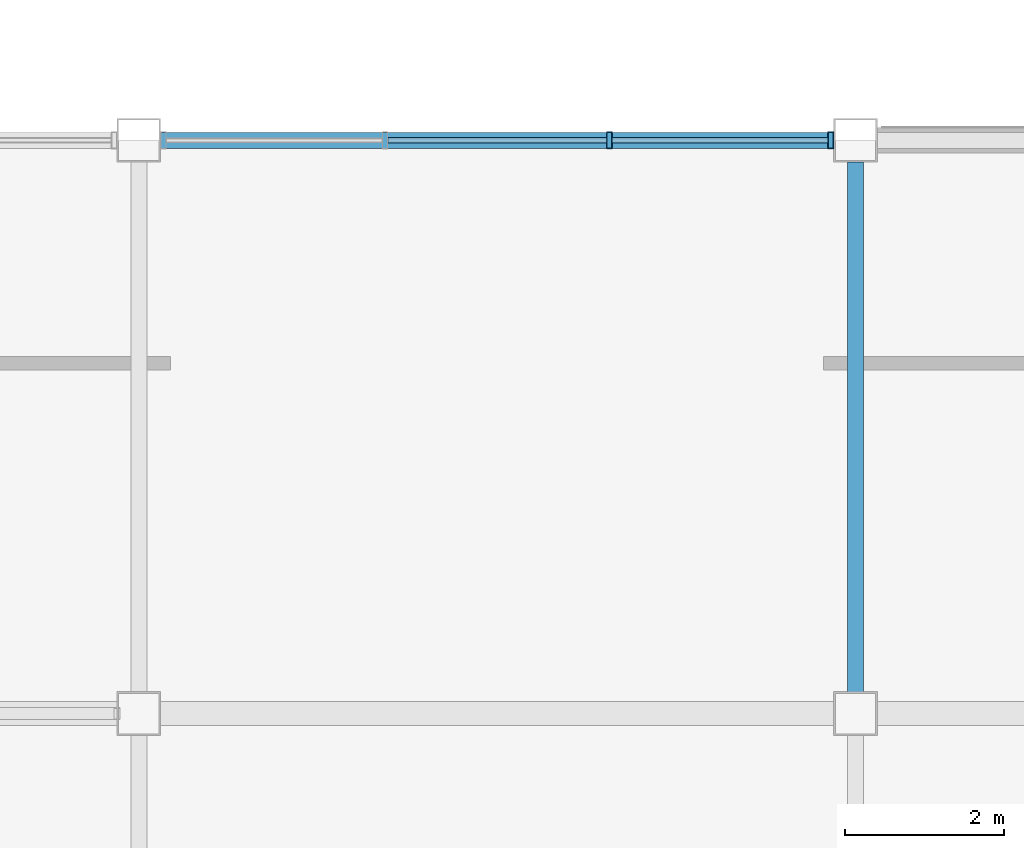
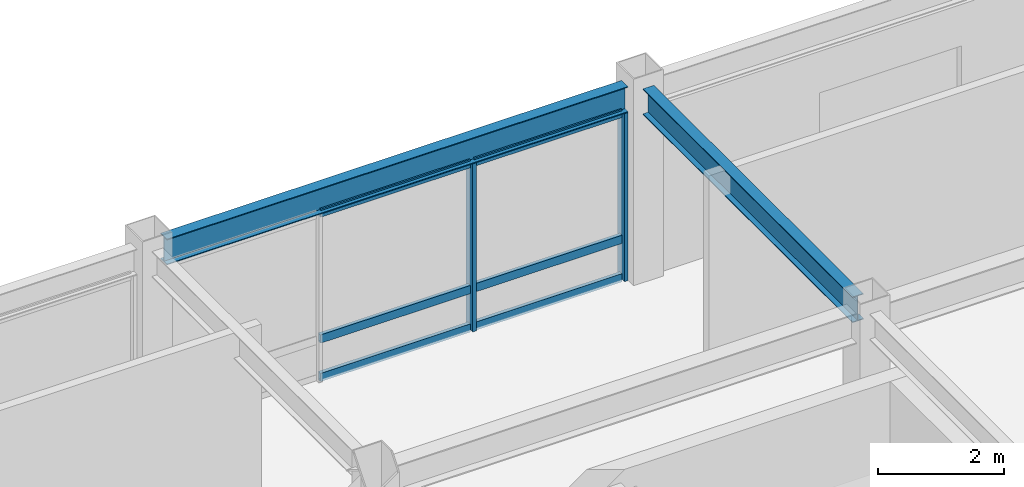
# One storey, part 42 of 122: 8 members, 2 beams, 1 element without a shape of its own.
"""IFC4 building model written with IfcOpenShell, lengths in metres."""

from ifc_helpers import new_model, si_unit, direction, frame, origin, origin_2d, place, context, subcontext, project, spatial, hollow_rectangle, i_section, extrude, material, material_profile, profile_set, type_object, element, aggregate, save


model = new_model("IFC4")

# Units and contexts
model_context = context("Model", 3, precision=1e-05, world=origin(), true_north=direction((0.0, 1.0)))
body_context = subcontext(model_context, "Body", "Model", "MODEL_VIEW")
ifc_project = project(units=[si_unit("LENGTHUNIT", "METRE"), si_unit("AREAUNIT", "SQUARE_METRE"), si_unit("VOLUMEUNIT", "CUBIC_METRE"), si_unit("PLANEANGLEUNIT", "RADIAN"), si_unit("MASSUNIT", "GRAM", prefix="KILO")], contexts=[model_context])

# Site, building, storey
site_placement = place(None, origin())
site = spatial("IfcSite", under=ifc_project, at=site_placement, CompositionType="ELEMENT")
building_placement = place(site_placement, origin())
building = spatial("IfcBuilding", under=site, at=building_placement, Name="Kazanami Central Library", CompositionType="ELEMENT")
storey_placement = place(building_placement, frame((0.0, 0.0, 4.800048828125)))
storey = spatial("IfcBuildingStorey", under=building, at=storey_placement, Name="L02", CompositionType="ELEMENT", Elevation=4.800048828125)

# Beams
ifc_material_1 = material(Name="Steel SN490B (325 MPa)", Category="steel")
ifc_material_profile_1 = material_profile(ifc_material_1, i_section(OverallWidth=0.199951171875, OverallDepth=0.5, WebThickness=0.010009765625, FlangeThickness=0.01611328125, at=origin_2d()), Name="H-500x200x10x16")
ifc_profile_set_1 = profile_set([ifc_material_profile_1], Name="Steel SN490B (325 MPa)")
beam_type_1 = type_object("IfcBeamType", Name="BM-G-Y2", PredefinedType="BEAM", material=ifc_profile_set_1)
beam_1_placement = place(storey_placement, frame((81.0, 29.072998046875, 3.5048828125), z_axis=(0.0, 1.0, 0.0), x_axis=(-1.0, 0.0, 0.0)))
element("IfcBeam", 1, at=beam_1_placement, inside=storey, type_object=beam_type_1, Name="Girder G-Y2 L02 10/E-F", PredefinedType="BEAM", context=body_context, shape_type="SweptSolid", body=[
    extrude(i_section(OverallWidth=0.199951171875, OverallDepth=0.5, WebThickness=0.010009765625, FlangeThickness=0.01611328125, at=origin_2d()), origin(), (0.0, 0.0, 1.0), 6.654052734375),
])
ifc_material_profile_2 = material_profile(ifc_material_1, i_section(OverallWidth=0.199951171875, OverallDepth=0.5, WebThickness=0.010009765625, FlangeThickness=0.01611328125, at=origin_2d()), Name="H-500x200x10x16")
ifc_profile_set_2 = profile_set([ifc_material_profile_2], Name="Steel SN490B (325 MPa)")
beam_type_2 = type_object("IfcBeamType", Name="BM-SP-1", PredefinedType="SPANDREL", material=ifc_profile_set_2)
beam_2_placement = place(storey_placement, frame((72.27294921875, 36.0, 3.5048828125), z_axis=(1.0, 0.0, 0.0), x_axis=(0.0, 1.0, 0.0)))
element("IfcBeam", 2, at=beam_2_placement, inside=storey, type_object=beam_type_2, Name="Girder SP-1 L02 F/9-10", PredefinedType="SPANDREL", context=body_context, shape_type="SweptSolid", body=[
    extrude(i_section(OverallWidth=0.199951171875, OverallDepth=0.5, WebThickness=0.010009765625, FlangeThickness=0.01611328125, at=origin_2d()), origin(), (0.0, 0.0, 1.0), 8.4541015625),
])

# Curtain wall, members
ifc_material_2 = material(Name="Acid-Etched Low-E Laminated Glass", Category="glass")
curtain_wall_type = type_object("IfcCurtainWallType", Name="CW-8450x3255-M275", PredefinedType="USERDEFINED", material=ifc_material_2)
curtain_wall_placement = place(storey_placement, origin())
curtain_wall = element("IfcCurtainWall", 3, at=curtain_wall_placement, inside=storey, type_object=curtain_wall_type, Name="Unitised Curtain Wall CW-13 L02 N-F-08", ObjectType="UNITISED CURTAIN WALL", PredefinedType="USERDEFINED")
ifc_material_3 = material(Name="Anodised Aluminium A6063-T5", Category="aluminium")
ifc_material_profile_3 = material_profile(ifc_material_3, hollow_rectangle(XDim=0.070068359375, YDim=0.2099609375, WallThickness=0.0048828125, at=origin_2d()), Name="ALU-MULL-70x210x5")
ifc_profile_set_3 = profile_set([ifc_material_profile_3], Name="Anodised Aluminium A6063-T5")
member_type_1 = type_object("IfcMemberType", Name="MEM-CW-M1", PredefinedType="MULLION", material=ifc_profile_set_3)
member_1_placement = place(storey_placement, frame((80.68994140625, 36.0, 0.0), z_axis=(0.0, 0.0, 1.0), x_axis=(-1.0, 0.0, 0.0)))
member_1 = element("IfcMember", 4, at=member_1_placement, type_object=member_type_1, Name="CW-13 mullion 1", PredefinedType="MULLION", context=body_context, shape_type="SweptSolid", body=[
    extrude(hollow_rectangle(XDim=0.070068359375, YDim=0.2099609375, WallThickness=0.0048828125, at=origin_2d()), origin(), (0.0, 0.0, 1.0), 3.2548828125),
])
member_2_placement = place(storey_placement, frame((77.908447265625, 36.0, 0.0), z_axis=(0.0, 0.0, 1.0), x_axis=(-1.0, 0.0, 0.0)))
member_2 = element("IfcMember", 5, at=member_2_placement, type_object=member_type_1, Name="CW-13 mullion 2", PredefinedType="MULLION", context=body_context, shape_type="SweptSolid", body=[
    extrude(hollow_rectangle(XDim=0.070068359375, YDim=0.2099609375, WallThickness=0.0048828125, at=origin_2d()), origin(), (0.0, 0.0, 1.0), 3.2548828125),
])
ifc_material_profile_4 = material_profile(ifc_material_3, hollow_rectangle(XDim=0.070068359375, YDim=0.159912109375, WallThickness=0.00390625, at=origin_2d()), Name="ALU-TRAN-70x160x4")
ifc_profile_set_4 = profile_set([ifc_material_profile_4], Name="Anodised Aluminium A6063-T5")
member_type_2 = type_object("IfcMemberType", Name="MEM-CW-T1", PredefinedType="USERDEFINED", material=ifc_profile_set_4)
member_3_placement = place(storey_placement, frame((80.655029296875, 36.0, 0.034912109375), z_axis=(-1.0, 0.0, 0.0), x_axis=(0.0, -1.0, 0.0)))
member_3 = element("IfcMember", 6, at=member_3_placement, type_object=member_type_2, Name="CW-13 transom 1.1", ObjectType="TRANSOM", PredefinedType="USERDEFINED", context=body_context, shape_type="SweptSolid", body=[
    extrude(hollow_rectangle(XDim=0.070068359375, YDim=0.159912109375, WallThickness=0.00390625, at=origin_2d()), origin(), (0.0, 0.0, 1.0), 2.711669921875),
])
member_4_placement = place(storey_placement, frame((80.655029296875, 36.0, 0.780029296875), z_axis=(-1.0, 0.0, 0.0), x_axis=(0.0, -1.0, 0.0)))
member_4 = element("IfcMember", 7, at=member_4_placement, type_object=member_type_2, Name="CW-13 transom 1.2", ObjectType="TRANSOM", PredefinedType="USERDEFINED", context=body_context, shape_type="SweptSolid", body=[
    extrude(hollow_rectangle(XDim=0.070068359375, YDim=0.159912109375, WallThickness=0.00390625, at=origin_2d()), origin(), (0.0, 0.0, 1.0), 2.711669921875),
])
member_5_placement = place(storey_placement, frame((80.655029296875, 36.0, 3.219970703125), z_axis=(-1.0, 0.0, 0.0), x_axis=(0.0, -1.0, 0.0)))
member_5 = element("IfcMember", 8, at=member_5_placement, type_object=member_type_2, Name="CW-13 transom 1.3", ObjectType="TRANSOM", PredefinedType="USERDEFINED", context=body_context, shape_type="SweptSolid", body=[
    extrude(hollow_rectangle(XDim=0.070068359375, YDim=0.159912109375, WallThickness=0.00390625, at=origin_2d()), origin(), (0.0, 0.0, 1.0), 2.711669921875),
])
member_6_placement = place(storey_placement, frame((77.873291015625, 36.0, 0.034912109375), z_axis=(-1.0, 0.0, 0.0), x_axis=(0.0, -1.0, 0.0)))
member_6 = element("IfcMember", 9, at=member_6_placement, type_object=member_type_2, Name="CW-13 transom 2.1", ObjectType="TRANSOM", PredefinedType="USERDEFINED", context=body_context, shape_type="SweptSolid", body=[
    extrude(hollow_rectangle(XDim=0.070068359375, YDim=0.159912109375, WallThickness=0.00390625, at=origin_2d()), origin(), (0.0, 0.0, 1.0), 2.74658203125),
])
member_7_placement = place(storey_placement, frame((77.873291015625, 36.0, 0.780029296875), z_axis=(-1.0, 0.0, 0.0), x_axis=(0.0, -1.0, 0.0)))
member_7 = element("IfcMember", 10, at=member_7_placement, type_object=member_type_2, Name="CW-13 transom 2.2", ObjectType="TRANSOM", PredefinedType="USERDEFINED", context=body_context, shape_type="SweptSolid", body=[
    extrude(hollow_rectangle(XDim=0.070068359375, YDim=0.159912109375, WallThickness=0.00390625, at=origin_2d()), origin(), (0.0, 0.0, 1.0), 2.74658203125),
])
member_8_placement = place(storey_placement, frame((77.873291015625, 36.0, 3.219970703125), z_axis=(-1.0, 0.0, 0.0), x_axis=(0.0, -1.0, 0.0)))
member_8 = element("IfcMember", 11, at=member_8_placement, type_object=member_type_2, Name="CW-13 transom 2.3", ObjectType="TRANSOM", PredefinedType="USERDEFINED", context=body_context, shape_type="SweptSolid", body=[
    extrude(hollow_rectangle(XDim=0.070068359375, YDim=0.159912109375, WallThickness=0.00390625, at=origin_2d()), origin(), (0.0, 0.0, 1.0), 2.74658203125),
])
aggregate(curtain_wall, [member_1, member_2, member_3, member_4, member_5, member_6, member_7, member_8])

save(model, "model.ifc")
